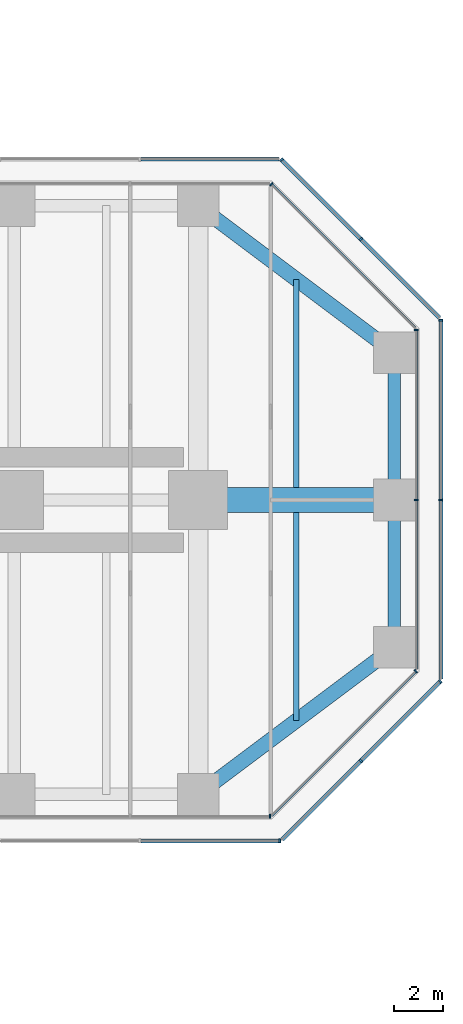
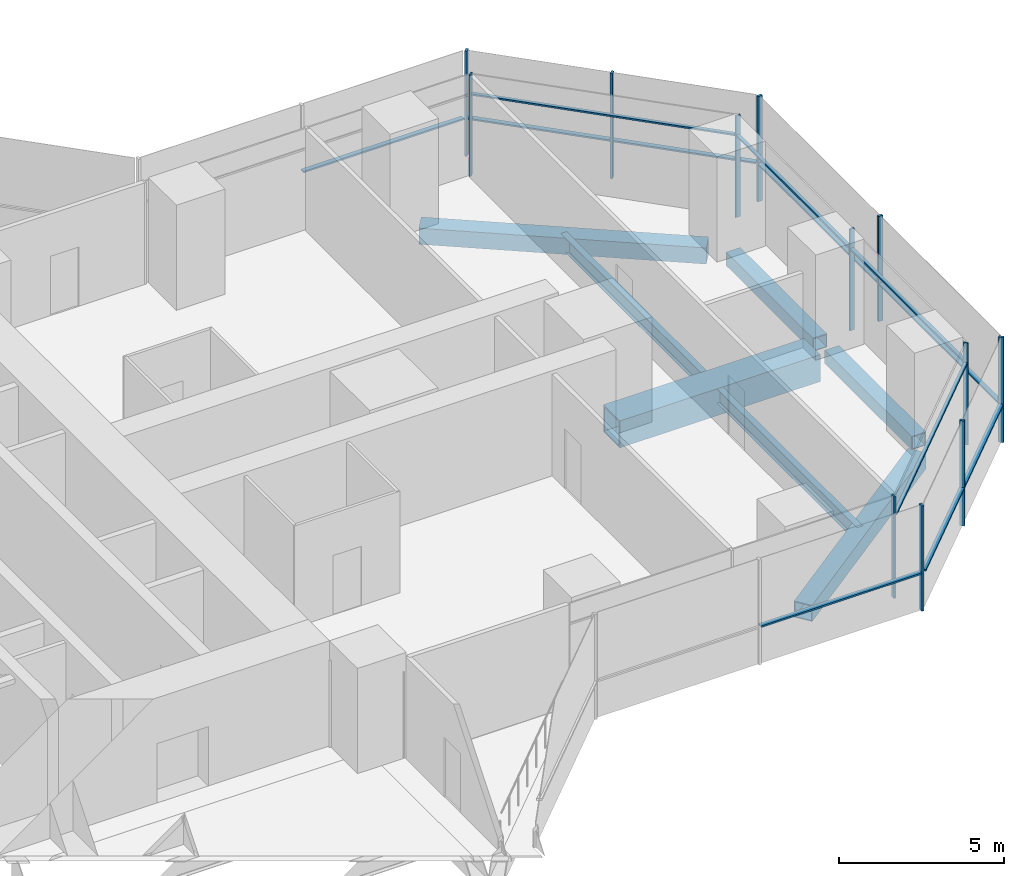
# One storey, part 11 of 19: 24 members, 7 beams, 9 elements without a shape of their own.
"""IFC4 building model written with IfcOpenShell, lengths in metres."""

from ifc_helpers import new_model, si_unit, direction, frame, origin, origin_2d, place, context, subcontext, project, spatial, rectangle, hollow_rectangle, i_section, extrude, material, material_profile, profile_set, type_object, element, aggregate, save


model = new_model("IFC4")

# Units and contexts
model_context = context("Model", 3, precision=1e-05, world=origin(), true_north=direction((0.0, 1.0)))
body_context = subcontext(model_context, "Body", "Model", "MODEL_VIEW")
ifc_project = project(units=[si_unit("LENGTHUNIT", "METRE"), si_unit("AREAUNIT", "SQUARE_METRE"), si_unit("VOLUMEUNIT", "CUBIC_METRE"), si_unit("PLANEANGLEUNIT", "RADIAN"), si_unit("MASSUNIT", "GRAM", prefix="KILO")], contexts=[model_context])

# Site, building, storey
site_placement = place(None, origin())
site = spatial("IfcSite", under=ifc_project, at=site_placement, CompositionType="ELEMENT")
building_placement = place(site_placement, origin())
building = spatial("IfcBuilding", under=site, at=building_placement, Name="Mizan Broadcast Tower", CompositionType="ELEMENT")
storey_placement = place(building_placement, frame((0.0, 0.0, 186.60009765625)))
storey = spatial("IfcBuildingStorey", under=building, at=storey_placement, Name="L43", CompositionType="ELEMENT", Elevation=186.60009765625)

# Beams
ifc_material_1 = material(Name="Steel S355", Category="steel")
ifc_material_profile_1 = material_profile(ifc_material_1, hollow_rectangle(XDim=0.5, YDim=0.5, WallThickness=0.030029296875, at=origin_2d()), Name="BOX 500x500x30")
ifc_profile_set_1 = profile_set([ifc_material_profile_1], Name="Steel S355")
beam_type_1 = type_object("IfcBeamType", Name="EDGE BEAM BOX 500x500x30", PredefinedType="SPANDREL", material=ifc_profile_set_1)
for number, where, z_axis, x_axis, name in (
    (1, (35.0, -5.639892578125, -0.380126953125), (0.0, 1.0, 0.0), (-1.0, 0.0, 0.0), "Edge beam BOX 500x500x30 L43 east arm"),
    (2, (35.0, 5.639892578125, -0.380126953125), (0.0, -1.0, 0.0), (1.0, 0.0, 0.0), "Edge beam BOX 500x500x30 L43 east arm"),
):
    element("IfcBeam", number, at=place(storey_placement, frame(where, z_axis=z_axis, x_axis=x_axis)), inside=storey, type_object=beam_type_1, Name=name, PredefinedType="SPANDREL", context=body_context, shape_type="SweptSolid", body=[
        extrude(hollow_rectangle(XDim=0.5, YDim=0.5, WallThickness=0.030029296875, at=origin_2d()), origin(), (0.0, 0.0, 1.0), 5.27978515625),
    ])
ifc_material_2 = material(Name="Steel S355", Category="steel")
ifc_material_profile_2 = material_profile(ifc_material_2, hollow_rectangle(XDim=0.60009765625, YDim=0.60009765625, WallThickness=0.030029296875, at=origin_2d()), Name="BOX 600x600x30")
ifc_profile_set_2 = profile_set([ifc_material_profile_2], Name="Steel S355")
beam_type_2 = type_object("IfcBeamType", Name="EDGE BEAM BOX 600x600x30", PredefinedType="SPANDREL", material=ifc_profile_set_2)
for number, where, z_axis, x_axis, name in (
    (3, (27.47998046875, -11.639892578125, -0.43017578125), (0.800013316712, 0.599982243973, 0.0), (-0.599982243973, 0.800013316712, 0.0), "Edge beam BOX 600x600x30 L43 east arm"),
    (4, (27.47998046875, 11.639892578125, -0.43017578125), (0.800013316712, -0.599982243973, 0.0), (0.599982243973, 0.800013316712, 0.0), "Edge beam BOX 600x600x30 L43 east arm"),
):
    element("IfcBeam", number, at=place(storey_placement, frame(where, z_axis=z_axis, x_axis=x_axis)), inside=storey, type_object=beam_type_2, Name=name, PredefinedType="SPANDREL", context=body_context, shape_type="SweptSolid", body=[
        extrude(hollow_rectangle(XDim=0.60009765625, YDim=0.60009765625, WallThickness=0.030029296875, at=origin_2d()), origin(), (0.0, 0.0, 1.0), 8.7998046875),
    ])
ifc_material_3 = material(Name="Steel S460", Category="steel")
ifc_material_profile_3 = material_profile(ifc_material_3, hollow_rectangle(XDim=1.0, YDim=1.0, WallThickness=0.06005859375, at=origin_2d()), Name="BOX 1000x1000x60")
ifc_profile_set_3 = profile_set([ifc_material_profile_3], Name="Steel S460")
beam_type_3 = type_object("IfcBeamType", Name="GIRDER BOX 1000x1000x60", PredefinedType="BEAM", material=ifc_profile_set_3)
beam_placement = place(storey_placement, frame((27.47998046875, 0.0, -0.630126953125), z_axis=(1.0, 0.0, 0.0), x_axis=(0.0, 1.0, 0.0)))
element("IfcBeam", 5, at=beam_placement, inside=storey, type_object=beam_type_3, Name="Girder BOX 1000x1000x60 L43 east arm", PredefinedType="BEAM", context=body_context, shape_type="SweptSolid", body=[
    extrude(hollow_rectangle(XDim=1.0, YDim=1.0, WallThickness=0.06005859375, at=origin_2d()), origin(), (0.0, 0.0, 1.0), 7.0400390625),
])

# Curtain wall, member
ifc_material_4 = material(Name="Aluminium framed glazing", Category="aluminium")
curtain_wall_type_1 = type_object("IfcCurtainWallType", Name="INNER SKIN MID ZONE", PredefinedType="USERDEFINED", material=ifc_material_4)
curtain_wall_1_placement = place(storey_placement, origin())
curtain_wall_1 = element("IfcCurtainWall", 6, at=curtain_wall_1_placement, inside=storey, type_object=curtain_wall_type_1, Name="Inner skin mid zone L43 E side", ObjectType="INNER SKIN MID ZONE", PredefinedType="USERDEFINED")
ifc_material_5 = material(Name="Aluminium, pale anodised", Category="aluminium")
ifc_material_profile_4 = material_profile(ifc_material_5, rectangle(XDim=0.159912109375, YDim=0.06005859375, at=origin_2d()), Name="MULLION 160x60")
ifc_profile_set_4 = profile_set([ifc_material_profile_4], Name="Aluminium, pale anodised")
member_type_1 = type_object("IfcMemberType", Name="INNER SKIN MULLION 60x160", PredefinedType="MULLION", material=ifc_profile_set_4)
member_1_placement = place(storey_placement, frame((29.928466796875, -12.89990234375, 0.0), z_axis=(0.0, 0.0, 1.0), x_axis=(0.0, 1.0, 0.0)))
member_1 = element("IfcMember", 7, at=member_1_placement, type_object=member_type_1, Name="Inner skin mid zone L43 E side mullion 3", PredefinedType="MULLION", context=body_context, shape_type="SweptSolid", body=[
    extrude(rectangle(XDim=0.159912109375, YDim=0.06005859375, at=origin_2d()), origin(), (0.0, 0.0, 1.0), 3.77001953125),
])
aggregate(curtain_wall_1, [member_1])

curtain_wall_2_placement = place(storey_placement, origin())
curtain_wall_2 = element("IfcCurtainWall", 8, at=curtain_wall_2_placement, inside=storey, type_object=curtain_wall_type_1, Name="Inner skin mid zone L43 E chamfer", ObjectType="INNER SKIN MID ZONE", PredefinedType="USERDEFINED")
member_2_placement = place(storey_placement, frame((35.87890625, -6.979736328125, 0.0), z_axis=(0.0, 0.0, 1.0), x_axis=(-0.707106781187, 0.707106781187, 0.0)))
member_2 = element("IfcMember", 9, at=member_2_placement, type_object=member_type_1, Name="Inner skin mid zone L43 E chamfer mullion 2", PredefinedType="MULLION", context=body_context, shape_type="SweptSolid", body=[
    extrude(rectangle(XDim=0.159912109375, YDim=0.06005859375, at=origin_2d()), origin(), (0.0, 0.0, 1.0), 3.77001953125),
])

# Curtain wall, members
curtain_wall_3_placement = place(storey_placement, origin())
curtain_wall_3 = element("IfcCurtainWall", 10, at=curtain_wall_3_placement, inside=storey, type_object=curtain_wall_type_1, Name="Inner skin mid zone L43 E end", ObjectType="INNER SKIN MID ZONE", PredefinedType="USERDEFINED")
member_3_placement = place(storey_placement, frame((35.89990234375, 0.0, 0.0), z_axis=(0.0, 0.0, 1.0), x_axis=(-1.0, 0.0, 0.0)))
member_3 = element("IfcMember", 11, at=member_3_placement, type_object=member_type_1, Name="Inner skin mid zone L43 E end mullion 2", PredefinedType="MULLION", context=body_context, shape_type="SweptSolid", body=[
    extrude(rectangle(XDim=0.159912109375, YDim=0.06005859375, at=origin_2d()), origin(), (0.0, 0.0, 1.0), 3.77001953125),
])
member_4_placement = place(storey_placement, frame((35.89990234375, 6.928466796875, 0.0), z_axis=(0.0, 0.0, 1.0), x_axis=(-1.0, 0.0, 0.0)))
member_4 = element("IfcMember", 12, at=member_4_placement, type_object=member_type_1, Name="Inner skin mid zone L43 E end mullion 3", PredefinedType="MULLION", context=body_context, shape_type="SweptSolid", body=[
    extrude(rectangle(XDim=0.159912109375, YDim=0.06005859375, at=origin_2d()), origin(), (0.0, 0.0, 1.0), 3.77001953125),
])

# Curtain wall, member
curtain_wall_4_placement = place(storey_placement, origin())
curtain_wall_4 = element("IfcCurtainWall", 13, at=curtain_wall_4_placement, inside=storey, type_object=curtain_wall_type_1, Name="Inner skin mid zone L43 E chamfer", ObjectType="INNER SKIN MID ZONE", PredefinedType="USERDEFINED")
member_5_placement = place(storey_placement, frame((29.979736328125, 12.87890625, 0.0), z_axis=(0.0, 0.0, 1.0), x_axis=(-0.707106781187, -0.707106781187, 0.0)))
member_5 = element("IfcMember", 14, at=member_5_placement, type_object=member_type_1, Name="Inner skin mid zone L43 E chamfer mullion 2", PredefinedType="MULLION", context=body_context, shape_type="SweptSolid", body=[
    extrude(rectangle(XDim=0.159912109375, YDim=0.06005859375, at=origin_2d()), origin(), (0.0, 0.0, 1.0), 3.77001953125),
])

# Member
ifc_material_6 = material(Name="Aluminium, pale anodised", Category="aluminium")
ifc_material_profile_5 = material_profile(ifc_material_6, rectangle(XDim=0.1201171875, YDim=0.06005859375, at=origin_2d()), Name="TRANSOM 120x60")
ifc_profile_set_5 = profile_set([ifc_material_profile_5], Name="Aluminium, pale anodised")
member_type_2 = type_object("IfcMemberType", Name="INNER SKIN TRANSOM 60x120", PredefinedType="USERDEFINED", material=ifc_profile_set_5)
member_6_placement = place(storey_placement, frame((30.0009765625, -12.857666015625, 3.02978515625), z_axis=(0.707106781187, 0.707106781187, 0.0), x_axis=(-0.707106781187, 0.707106781187, 0.0)))
member_6 = element("IfcMember", 15, at=member_6_placement, type_object=member_type_2, Name="Inner skin mid zone L43 E chamfer transom 1.1", ObjectType="TRANSOM", PredefinedType="USERDEFINED", context=body_context, shape_type="SweptSolid", body=[
    extrude(rectangle(XDim=0.1201171875, YDim=0.06005859375, at=origin_2d()), origin(), (0.0, 0.0, 1.0), 8.28271484375),
])

aggregate(curtain_wall_2, [member_2, member_6])

member_7_placement = place(storey_placement, frame((35.89990234375, -6.898681640625, 3.02978515625), z_axis=(0.0, 1.0, 0.0), x_axis=(-1.0, 0.0, 0.0)))
member_7 = element("IfcMember", 16, at=member_7_placement, type_object=member_type_2, Name="Inner skin mid zone L43 E end transom 1.1", ObjectType="TRANSOM", PredefinedType="USERDEFINED", context=body_context, shape_type="SweptSolid", body=[
    extrude(rectangle(XDim=0.1201171875, YDim=0.06005859375, at=origin_2d()), origin(), (0.0, 0.0, 1.0), 6.86865234375),
])

member_8_placement = place(storey_placement, frame((35.89990234375, 0.030029296875, 3.02978515625), z_axis=(0.0, 1.0, 0.0), x_axis=(-1.0, 0.0, 0.0)))
member_8 = element("IfcMember", 17, at=member_8_placement, type_object=member_type_2, Name="Inner skin mid zone L43 E end transom 2.1", ObjectType="TRANSOM", PredefinedType="USERDEFINED", context=body_context, shape_type="SweptSolid", body=[
    extrude(rectangle(XDim=0.1201171875, YDim=0.06005859375, at=origin_2d()), origin(), (0.0, 0.0, 1.0), 6.86865234375),
])

aggregate(curtain_wall_3, [member_3, member_4, member_7, member_8])

member_9_placement = place(storey_placement, frame((35.857666015625, 7.0009765625, 3.02978515625), z_axis=(-0.707106781187, 0.707106781187, 0.0), x_axis=(-0.707106781187, -0.707106781187, 0.0)))
member_9 = element("IfcMember", 18, at=member_9_placement, type_object=member_type_2, Name="Inner skin mid zone L43 E chamfer transom 1.1", ObjectType="TRANSOM", PredefinedType="USERDEFINED", context=body_context, shape_type="SweptSolid", body=[
    extrude(rectangle(XDim=0.1201171875, YDim=0.06005859375, at=origin_2d()), origin(), (0.0, 0.0, 1.0), 8.28271484375),
])

aggregate(curtain_wall_4, [member_5, member_9])

# Curtain wall, members
ifc_material_7 = material(Name="Aluminium framed glazing", Category="aluminium")
curtain_wall_type_2 = type_object("IfcCurtainWallType", Name="OUTER SKIN", PredefinedType="USERDEFINED", material=ifc_material_7)
curtain_wall_5_placement = place(storey_placement, origin())
curtain_wall_5 = element("IfcCurtainWall", 19, at=curtain_wall_5_placement, inside=storey, type_object=curtain_wall_type_2, Name="Outer skin L43 E chamfer", ObjectType="OUTER SKIN", PredefinedType="USERDEFINED")
ifc_material_8 = material(Name="Aluminium, pale anodised", Category="aluminium")
ifc_material_profile_6 = material_profile(ifc_material_8, rectangle(XDim=0.159912109375, YDim=0.080078125, at=origin_2d()), Name="MULLION 160x80")
ifc_profile_set_6 = profile_set([ifc_material_profile_6], Name="Aluminium, pale anodised")
member_type_3 = type_object("IfcMemberType", Name="OUTER SKIN MULLION 80x160", PredefinedType="MULLION", material=ifc_profile_set_6)
member_10_placement = place(storey_placement, frame((33.636474609375, -10.636474609375, 0.0), z_axis=(0.0, 0.0, 1.0), x_axis=(-0.707106781187, 0.707106781187, 0.0)))
member_10 = element("IfcMember", 20, at=member_10_placement, type_object=member_type_3, Name="Outer skin L43 E chamfer mullion 2", PredefinedType="MULLION", context=body_context, shape_type="SweptSolid", body=[
    extrude(rectangle(XDim=0.159912109375, YDim=0.080078125, at=origin_2d()), origin(), (0.0, 0.0, 1.0), 3.89990234375),
])
member_11_placement = place(storey_placement, frame((36.871826171875, -7.401123046875, 0.0), z_axis=(0.0, 0.0, 1.0), x_axis=(-0.707106781187, 0.707106781187, 0.0)))
member_11 = element("IfcMember", 21, at=member_11_placement, type_object=member_type_3, Name="Outer skin L43 E chamfer mullion 3", PredefinedType="MULLION", context=body_context, shape_type="SweptSolid", body=[
    extrude(rectangle(XDim=0.159912109375, YDim=0.080078125, at=origin_2d()), origin(), (0.0, 0.0, 1.0), 3.89990234375),
])

curtain_wall_6_placement = place(storey_placement, origin())
curtain_wall_6 = element("IfcCurtainWall", 22, at=curtain_wall_6_placement, inside=storey, type_object=curtain_wall_type_2, Name="Outer skin L43 E end", ObjectType="OUTER SKIN", PredefinedType="USERDEFINED")
member_12_placement = place(storey_placement, frame((36.89990234375, 0.0, 0.0), z_axis=(0.0, 0.0, 1.0), x_axis=(-1.0, 0.0, 0.0)))
member_12 = element("IfcMember", 23, at=member_12_placement, type_object=member_type_3, Name="Outer skin L43 E end mullion 2", PredefinedType="MULLION", context=body_context, shape_type="SweptSolid", body=[
    extrude(rectangle(XDim=0.159912109375, YDim=0.080078125, at=origin_2d()), origin(), (0.0, 0.0, 1.0), 3.89990234375),
])
member_13_placement = place(storey_placement, frame((36.89990234375, 7.332763671875, 0.0), z_axis=(0.0, 0.0, 1.0), x_axis=(-1.0, 0.0, 0.0)))
member_13 = element("IfcMember", 24, at=member_13_placement, type_object=member_type_3, Name="Outer skin L43 E end mullion 3", PredefinedType="MULLION", context=body_context, shape_type="SweptSolid", body=[
    extrude(rectangle(XDim=0.159912109375, YDim=0.080078125, at=origin_2d()), origin(), (0.0, 0.0, 1.0), 3.89990234375),
])

curtain_wall_7_placement = place(storey_placement, origin())
curtain_wall_7 = element("IfcCurtainWall", 25, at=curtain_wall_7_placement, inside=storey, type_object=curtain_wall_type_2, Name="Outer skin L43 E chamfer", ObjectType="OUTER SKIN", PredefinedType="USERDEFINED")
member_14_placement = place(storey_placement, frame((33.636474609375, 10.636474609375, 0.0), z_axis=(0.0, 0.0, 1.0), x_axis=(-0.707106781187, -0.707106781187, 0.0)))
member_14 = element("IfcMember", 26, at=member_14_placement, type_object=member_type_3, Name="Outer skin L43 E chamfer mullion 2", PredefinedType="MULLION", context=body_context, shape_type="SweptSolid", body=[
    extrude(rectangle(XDim=0.159912109375, YDim=0.080078125, at=origin_2d()), origin(), (0.0, 0.0, 1.0), 3.89990234375),
])
member_15_placement = place(storey_placement, frame((30.401123046875, 13.871826171875, 0.0), z_axis=(0.0, 0.0, 1.0), x_axis=(-0.707106781187, -0.707106781187, 0.0)))
member_15 = element("IfcMember", 27, at=member_15_placement, type_object=member_type_3, Name="Outer skin L43 E chamfer mullion 3", PredefinedType="MULLION", context=body_context, shape_type="SweptSolid", body=[
    extrude(rectangle(XDim=0.159912109375, YDim=0.080078125, at=origin_2d()), origin(), (0.0, 0.0, 1.0), 3.89990234375),
])

# Curtain wall, member
curtain_wall_8_placement = place(storey_placement, origin())
curtain_wall_8 = element("IfcCurtainWall", 28, at=curtain_wall_8_placement, inside=storey, type_object=curtain_wall_type_2, Name="Outer skin L43 E side", ObjectType="OUTER SKIN", PredefinedType="USERDEFINED")
member_16_placement = place(storey_placement, frame((30.332763671875, -13.89990234375, 0.0), z_axis=(0.0, 0.0, 1.0), x_axis=(0.0, 1.0, 0.0)))
member_16 = element("IfcMember", 29, at=member_16_placement, type_object=member_type_3, Name="Outer skin L43 E side mullion 3", PredefinedType="MULLION", context=body_context, shape_type="SweptSolid", body=[
    extrude(rectangle(XDim=0.159912109375, YDim=0.080078125, at=origin_2d()), origin(), (0.0, 0.0, 1.0), 3.89990234375),
])

# Member
ifc_material_9 = material(Name="Aluminium, pale anodised", Category="aluminium")
ifc_material_profile_7 = material_profile(ifc_material_9, rectangle(XDim=0.159912109375, YDim=0.06005859375, at=origin_2d()), Name="TRANSOM 160x60")
ifc_profile_set_7 = profile_set([ifc_material_profile_7], Name="Aluminium, pale anodised")
member_type_4 = type_object("IfcMemberType", Name="OUTER SKIN TRANSOM 60x160", PredefinedType="USERDEFINED", material=ifc_profile_set_7)
member_17_placement = place(storey_placement, frame((30.429443359375, -13.843505859375, 1.39990234375), z_axis=(0.707106781187, 0.707106781187, 0.0), x_axis=(-0.707106781187, 0.707106781187, 0.0)))
member_17 = element("IfcMember", 30, at=member_17_placement, type_object=member_type_4, Name="Outer skin L43 E chamfer transom 1.1", ObjectType="TRANSOM", PredefinedType="USERDEFINED", context=body_context, shape_type="SweptSolid", body=[
    extrude(rectangle(XDim=0.159912109375, YDim=0.06005859375, at=origin_2d()), origin(), (0.0, 0.0, 1.0), 4.495361328125),
])

member_18_placement = place(storey_placement, frame((33.664794921875, -10.608154296875, 1.39990234375), z_axis=(0.707106781187, 0.707106781187, 0.0), x_axis=(-0.707106781187, 0.707106781187, 0.0)))
member_18 = element("IfcMember", 31, at=member_18_placement, type_object=member_type_4, Name="Outer skin L43 E chamfer transom 2.1", ObjectType="TRANSOM", PredefinedType="USERDEFINED", context=body_context, shape_type="SweptSolid", body=[
    extrude(rectangle(XDim=0.159912109375, YDim=0.06005859375, at=origin_2d()), origin(), (0.0, 0.0, 1.0), 4.495361328125),
])

aggregate(curtain_wall_5, [member_10, member_11, member_17, member_18])

member_19_placement = place(storey_placement, frame((36.89990234375, -7.292724609375, 1.39990234375), z_axis=(0.0, 1.0, 0.0), x_axis=(-1.0, 0.0, 0.0)))
member_19 = element("IfcMember", 32, at=member_19_placement, type_object=member_type_4, Name="Outer skin L43 E end transom 1.1", ObjectType="TRANSOM", PredefinedType="USERDEFINED", context=body_context, shape_type="SweptSolid", body=[
    extrude(rectangle(XDim=0.159912109375, YDim=0.06005859375, at=origin_2d()), origin(), (0.0, 0.0, 1.0), 7.252685546875),
])

member_20_placement = place(storey_placement, frame((36.89990234375, 0.0400390625, 1.39990234375), z_axis=(0.0, 1.0, 0.0), x_axis=(-1.0, 0.0, 0.0)))
member_20 = element("IfcMember", 33, at=member_20_placement, type_object=member_type_4, Name="Outer skin L43 E end transom 2.1", ObjectType="TRANSOM", PredefinedType="USERDEFINED", context=body_context, shape_type="SweptSolid", body=[
    extrude(rectangle(XDim=0.159912109375, YDim=0.06005859375, at=origin_2d()), origin(), (0.0, 0.0, 1.0), 7.252685546875),
])

aggregate(curtain_wall_6, [member_12, member_13, member_19, member_20])

member_21_placement = place(storey_placement, frame((36.843505859375, 7.429443359375, 1.39990234375), z_axis=(-0.707106781187, 0.707106781187, 0.0), x_axis=(-0.707106781187, -0.707106781187, 0.0)))
member_21 = element("IfcMember", 34, at=member_21_placement, type_object=member_type_4, Name="Outer skin L43 E chamfer transom 1.1", ObjectType="TRANSOM", PredefinedType="USERDEFINED", context=body_context, shape_type="SweptSolid", body=[
    extrude(rectangle(XDim=0.159912109375, YDim=0.06005859375, at=origin_2d()), origin(), (0.0, 0.0, 1.0), 4.495361328125),
])

member_22_placement = place(storey_placement, frame((33.608154296875, 10.664794921875, 1.39990234375), z_axis=(-0.707106781187, 0.707106781187, 0.0), x_axis=(-0.707106781187, -0.707106781187, 0.0)))
member_22 = element("IfcMember", 35, at=member_22_placement, type_object=member_type_4, Name="Outer skin L43 E chamfer transom 2.1", ObjectType="TRANSOM", PredefinedType="USERDEFINED", context=body_context, shape_type="SweptSolid", body=[
    extrude(rectangle(XDim=0.159912109375, YDim=0.06005859375, at=origin_2d()), origin(), (0.0, 0.0, 1.0), 4.495361328125),
])

aggregate(curtain_wall_7, [member_14, member_15, member_21, member_22])

# Curtain wall, member
curtain_wall_9_placement = place(storey_placement, origin())
curtain_wall_9 = element("IfcCurtainWall", 36, at=curtain_wall_9_placement, inside=storey, type_object=curtain_wall_type_2, Name="Outer skin L43 E side", ObjectType="OUTER SKIN", PredefinedType="USERDEFINED")
member_23_placement = place(storey_placement, frame((30.292724609375, 13.89990234375, 1.39990234375), z_axis=(-1.0, 0.0, 0.0), x_axis=(0.0, -1.0, 0.0)))
member_23 = element("IfcMember", 37, at=member_23_placement, type_object=member_type_4, Name="Outer skin L43 E side transom 1.1", ObjectType="TRANSOM", PredefinedType="USERDEFINED", context=body_context, shape_type="SweptSolid", body=[
    extrude(rectangle(XDim=0.159912109375, YDim=0.06005859375, at=origin_2d()), origin(), (0.0, 0.0, 1.0), 5.6298828125),
])
aggregate(curtain_wall_9, [member_23])

# Member
member_24_placement = place(storey_placement, frame((24.662841796875, -13.89990234375, 1.39990234375), z_axis=(1.0, 0.0, 0.0), x_axis=(0.0, 1.0, 0.0)))
member_24 = element("IfcMember", 38, at=member_24_placement, type_object=member_type_4, Name="Outer skin L43 E side transom 2.1", ObjectType="TRANSOM", PredefinedType="USERDEFINED", context=body_context, shape_type="SweptSolid", body=[
    extrude(rectangle(XDim=0.159912109375, YDim=0.06005859375, at=origin_2d()), origin(), (0.0, 0.0, 1.0), 5.6298828125),
])

aggregate(curtain_wall_8, [member_16, member_24])

# Beams
ifc_material_10 = material(Name="Steel S355", Category="steel")
ifc_material_profile_8 = material_profile(ifc_material_10, i_section(OverallWidth=0.2099609375, OverallDepth=0.550048828125, WebThickness=0.010986328125, FlangeThickness=0.01708984375, FilletRadius=0.02392578125, at=origin_2d()), Name="IPE 550")
ifc_profile_set_8 = profile_set([ifc_material_profile_8], Name="Steel S355")
beam_type_4 = type_object("IfcBeamType", Name="SECONDARY BEAM IPE 550", PredefinedType="JOIST", material=ifc_profile_set_8)
for number, where, z_axis, x_axis, name in (
    (39, (31.0, -9.0, -0.405029296875), (0.0, 1.0, 0.0), (-1.0, 0.0, 0.0), "Secondary beam IPE 550 L43 east arm"),
    (40, (31.0, 9.0, -0.405029296875), (0.0, -1.0, 0.0), (1.0, 0.0, 0.0), "Secondary beam IPE 550 L43 east arm"),
):
    element("IfcBeam", number, at=place(storey_placement, frame(where, z_axis=z_axis, x_axis=x_axis)), inside=storey, type_object=beam_type_4, Name=name, PredefinedType="JOIST", context=body_context, shape_type="SweptSolid", body=[
        extrude(i_section(OverallWidth=0.2099609375, OverallDepth=0.550048828125, WebThickness=0.010986328125, FlangeThickness=0.01708984375, FilletRadius=0.02392578125, at=origin_2d()), origin(), (0.0, 0.0, 1.0), 8.5),
    ])

save(model, "model.ifc")
